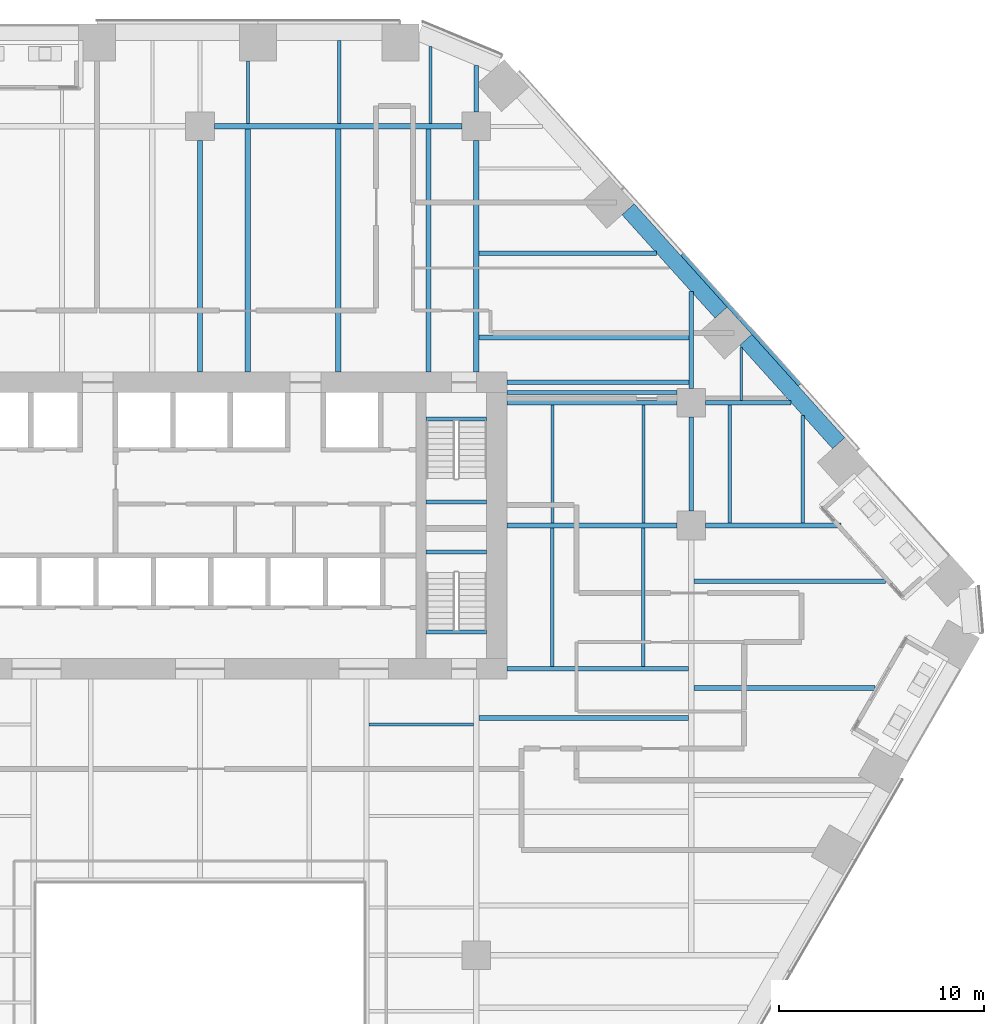
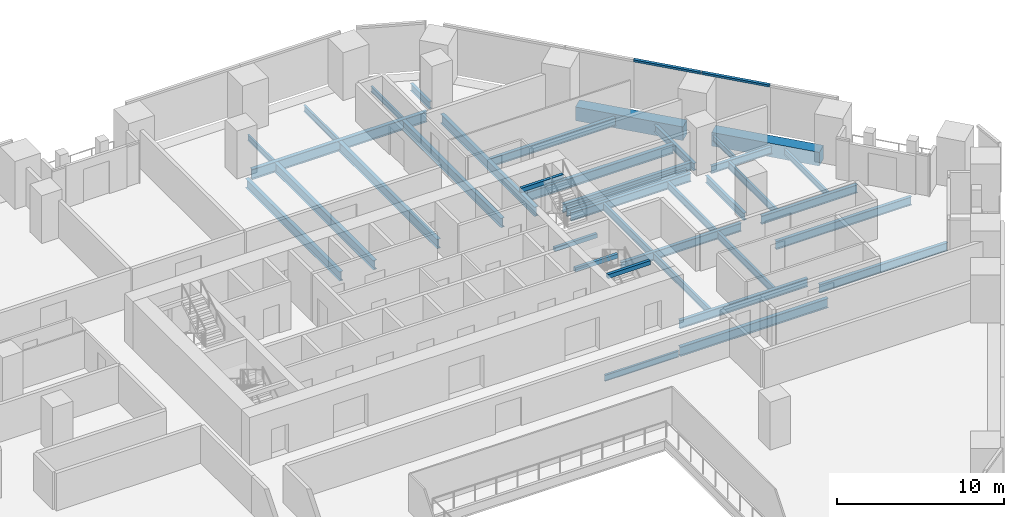
# One storey, part 10 of 28: 38 beams, 2 members, 1 element without a shape of its own.
"""IFC4 building model written with IfcOpenShell, lengths in metres."""

from ifc_helpers import new_model, si_unit, direction, frame, origin, origin_2d, place, context, subcontext, project, spatial, rectangle, i_section, extrude, material, layer, layer_set, material_profile, profile_set, type_object, element, aggregate, save


model = new_model("IFC4")

# Units and contexts
model_context = context("Model", 3, precision=1e-05, world=origin(), true_north=direction((0.0, 1.0)))
body_context = subcontext(model_context, "Body", "Model", "MODEL_VIEW")
ifc_project = project(units=[si_unit("LENGTHUNIT", "METRE"), si_unit("AREAUNIT", "SQUARE_METRE"), si_unit("VOLUMEUNIT", "CUBIC_METRE"), si_unit("PLANEANGLEUNIT", "RADIAN"), si_unit("MASSUNIT", "GRAM", prefix="KILO")], contexts=[model_context])

# Site, building, storey
site_placement = place(None, origin())
site = spatial("IfcSite", under=ifc_project, at=site_placement, CompositionType="ELEMENT")
building_placement = place(site_placement, origin())
building = spatial("IfcBuilding", under=site, at=building_placement, Name="Isthmus Gate Tower", CompositionType="ELEMENT")
storey_placement = place(building_placement, frame((0.0, 0.0, 68.85009765625)))
storey = spatial("IfcBuildingStorey", under=building, at=storey_placement, Name="L15", CompositionType="ELEMENT", Elevation=68.85009765625)

# Curtain wall, members
ifc_material_1 = material(Name="Aluminium, pale champagne anodised", Category="aluminium")
ifc_layer = layer(ifc_material_1, 0.199951171875)
ifc_layer_set = layer_set([ifc_layer], Name="CW-1 UNITISED CURTAIN WALL 200 DEEP")
curtain_wall_type = type_object("IfcCurtainWallType", Name="CW-1 UNITISED CURTAIN WALL 200 DEEP", PredefinedType="NOTDEFINED", material=ifc_layer_set)
curtain_wall_placement = place(storey_placement, origin())
curtain_wall = element("IfcCurtainWall", 1, at=curtain_wall_placement, inside=storey, type_object=curtain_wall_type, Name="CW-1 NE L15", PredefinedType="NOTDEFINED")
ifc_material_2 = material(Name="Aluminium, pale champagne anodised", Category="aluminium")
ifc_material_profile_1 = material_profile(ifc_material_2, rectangle(XDim=0.199951171875, YDim=0.14990234375, at=origin_2d()), Name="200x150")
ifc_profile_set_1 = profile_set([ifc_material_profile_1], Name="Aluminium, pale champagne anodised")
member_type = type_object("IfcMemberType", Name="CW-1 TRANSOM 200 X 150", PredefinedType="USERDEFINED", material=ifc_profile_set_1)
member_1_placement = place(storey_placement, frame((29.307861328125, 14.3779296875, 3.574951171875), z_axis=(-0.6690997736, 0.74317258626, 0.0), x_axis=(-0.74317258626, -0.6690997736, 0.0)))
member_1 = element("IfcMember", 2, at=member_1_placement, type_object=member_type, Name="CW-1 transom", ObjectType="TRANSOM", PredefinedType="USERDEFINED", context=body_context, shape_type="SweptSolid", body=[
    extrude(rectangle(XDim=0.199951171875, YDim=0.14990234375, at=origin_2d()), origin(), (0.0, 0.0, 1.0), 4.294677734375),
])
member_2_placement = place(storey_placement, frame((26.39404296875, 17.614013671875, 3.574951171875), z_axis=(-0.669123979474, 0.743150792298, 0.0), x_axis=(-0.743150792298, -0.669123979474, 0.0)))
member_2 = element("IfcMember", 3, at=member_2_placement, type_object=member_type, Name="CW-1 transom", ObjectType="TRANSOM", PredefinedType="USERDEFINED", context=body_context, shape_type="SweptSolid", body=[
    extrude(rectangle(XDim=0.199951171875, YDim=0.14990234375, at=origin_2d()), origin(), (0.0, 0.0, 1.0), 4.234619140625),
])
aggregate(curtain_wall, [member_1, member_2])

# Beams
ifc_material_3 = material(Name="Concrete f'c 70 MPa", Category="concrete")
ifc_material_profile_2 = material_profile(ifc_material_3, rectangle(XDim=0.800048828125, YDim=1.0, at=origin_2d()), Name="RC 800X1000")
ifc_profile_set_2 = profile_set([ifc_material_profile_2], Name="Concrete f'c 70 MPa")
beam_type_1 = type_object("IfcBeamType", Name="RC SPANDREL 800 X 1000", PredefinedType="SPANDREL", material=ifc_profile_set_2)
beam_1_placement = place(storey_placement, frame((20.91748046875, 22.94921875, -0.5), z_axis=(0.669135571547, -0.743140354772, 0.0), x_axis=(0.743140354772, 0.669135571547, 0.0)))
element("IfcBeam", 4, at=beam_1_placement, inside=storey, type_object=beam_type_1, Name="str-spandrel-L15-02", PredefinedType="SPANDREL", context=body_context, shape_type="SweptSolid", body=[
    extrude(rectangle(XDim=0.800048828125, YDim=1.0, at=origin_2d()), origin(), (0.0, 0.0, 1.0), 6.789306640625),
])
beam_2_placement = place(storey_placement, frame((26.664794921875, 16.566162109375, -0.5), z_axis=(0.669117690519, -0.743156454748, 0.0), x_axis=(0.743156454748, 0.669117690519, 0.0)))
element("IfcBeam", 5, at=beam_2_placement, inside=storey, type_object=beam_type_1, Name="str-spandrel-L15-03", PredefinedType="SPANDREL", context=body_context, shape_type="SweptSolid", body=[
    extrude(rectangle(XDim=0.800048828125, YDim=1.0, at=origin_2d()), origin(), (0.0, 0.0, 1.0), 6.78955078125),
])
ifc_material_4 = material(Name="Concrete f'c 40 MPa", Category="concrete")
ifc_material_profile_3 = material_profile(ifc_material_4, rectangle(XDim=0.199951171875, YDim=0.300048828125, at=origin_2d()), Name="STAIR LANDING BEAM RC 200 X 300")
ifc_profile_set_3 = profile_set([ifc_material_profile_3], Name="Concrete f'c 40 MPa")
beam_type_2 = type_object("IfcBeamType", Name="STAIR LANDING BEAM RC 200 X 300", PredefinedType="BEAM", material=ifc_profile_set_3)
for number, where, z_axis, x_axis, name in (
    (6, (11.050048828125, 8.64990234375, 1.474853515625), (1.0, 0.0, 0.0), (0.0, 1.0, 0.0), "L15 ST2 landing beam 1"),
    (7, (11.050048828125, 12.7001953125, 3.349853515625), (1.0, 0.0, 0.0), (0.0, 1.0, 0.0), "L15 ST2 floor-edge seat beam"),
    (8, (11.050048828125, 6.199951171875, 1.474853515625), (1.0, 0.0, 0.0), (0.0, 1.0, 0.0), "L15 ST8 landing beam 1"),
    (9, (11.050048828125, 2.2998046875, 3.349853515625), (1.0, 0.0, 0.0), (0.0, 1.0, 0.0), "L15 ST8 floor-edge seat beam"),
):
    element("IfcBeam", number, at=place(storey_placement, frame(where, z_axis=z_axis, x_axis=x_axis)), inside=storey, type_object=beam_type_2, Name=name, PredefinedType="BEAM", context=body_context, shape_type="SweptSolid", body=[
        extrude(rectangle(XDim=0.199951171875, YDim=0.300048828125, at=origin_2d()), origin(), (0.0, 0.0, 1.0), 2.949951171875),
    ])
ifc_material_5 = material(Name="Structural steel ASTM A992 Gr 50", Category="steel")
ifc_material_profile_4 = material_profile(ifc_material_5, i_section(OverallWidth=0.1396484375, OverallDepth=0.4033203125, WebThickness=0.00634765625, FlangeThickness=0.010986328125, at=origin_2d()), Name="W16X31")
ifc_profile_set_4 = profile_set([ifc_material_profile_4], Name="Structural steel ASTM A992 Gr 50")
beam_type_3 = type_object("IfcBeamType", Name="STEEL FLOOR BEAM W16X31", PredefinedType="JOIST", material=ifc_profile_set_4)
beam_3_placement = place(storey_placement, frame((2.33740234375, 27.1318359375, -0.351806640625), z_axis=(0.0, 1.0, 0.0), x_axis=(-1.0, 0.0, 0.0)))
element("IfcBeam", 10, at=beam_3_placement, inside=storey, type_object=beam_type_3, Name="str-beam-L15-23-00", PredefinedType="JOIST", context=body_context, shape_type="SweptSolid", body=[
    extrude(i_section(OverallWidth=0.1396484375, OverallDepth=0.4033203125, WebThickness=0.00634765625, FlangeThickness=0.010986328125, at=origin_2d()), origin(), (0.0, 0.0, 1.0), 3.068115234375),
])
beam_4_placement = place(storey_placement, frame((11.267578125, 27.1318359375, -0.351806640625), z_axis=(0.0, 1.0, 0.0), x_axis=(-1.0, 0.0, 0.0)))
element("IfcBeam", 11, at=beam_4_placement, inside=storey, type_object=beam_type_3, Name="str-beam-L15-23-02", PredefinedType="JOIST", context=body_context, shape_type="SweptSolid", body=[
    extrude(i_section(OverallWidth=0.1396484375, OverallDepth=0.4033203125, WebThickness=0.00634765625, FlangeThickness=0.010986328125, at=origin_2d()), origin(), (0.0, 0.0, 1.0), 3.7666015625),
])
beam_5_placement = place(storey_placement, frame((26.448974609375, 13.604736328125, -0.351806640625), z_axis=(0.0, 1.0, 0.0), x_axis=(-1.0, 0.0, 0.0)))
element("IfcBeam", 12, at=beam_5_placement, inside=storey, type_object=beam_type_3, Name="str-beam-L15-36-00", PredefinedType="JOIST", context=body_context, shape_type="SweptSolid", body=[
    extrude(i_section(OverallWidth=0.1396484375, OverallDepth=0.4033203125, WebThickness=0.00634765625, FlangeThickness=0.010986328125, at=origin_2d()), origin(), (0.0, 0.0, 1.0), 2.603515625),
])
ifc_material_6 = material(Name="Structural steel ASTM A992 Gr 50", Category="steel")
ifc_material_profile_5 = material_profile(ifc_material_6, i_section(OverallWidth=0.15234375, OverallDepth=0.45068359375, WebThickness=0.0078125, FlangeThickness=0.010986328125, at=origin_2d()), Name="W18X35")
ifc_profile_set_5 = profile_set([ifc_material_profile_5], Name="Structural steel ASTM A992 Gr 50")
beam_type_4 = type_object("IfcBeamType", Name="STEEL FLOOR BEAM W18X35", PredefinedType="JOIST", material=ifc_profile_set_5)
beam_6_placement = place(storey_placement, frame((6.802490234375, 27.1318359375, -0.37548828125), z_axis=(0.0, 1.0, 0.0), x_axis=(-1.0, 0.0, 0.0)))
element("IfcBeam", 13, at=beam_6_placement, inside=storey, type_object=beam_type_4, Name="str-beam-L15-23-01", PredefinedType="JOIST", context=body_context, shape_type="SweptSolid", body=[
    extrude(i_section(OverallWidth=0.15234375, OverallDepth=0.45068359375, WebThickness=0.0078125, FlangeThickness=0.010986328125, at=origin_2d()), origin(), (0.0, 0.0, 1.0), 4.068115234375),
])
beam_7_placement = place(storey_placement, frame((8.263427734375, -2.232421875, -0.37548828125), z_axis=(1.0, 0.0, 0.0), x_axis=(0.0, 1.0, 0.0)))
element("IfcBeam", 14, at=beam_7_placement, inside=storey, type_object=beam_type_4, Name="str-beam-L15-27-02", PredefinedType="JOIST", context=body_context, shape_type="SweptSolid", body=[
    extrude(i_section(OverallWidth=0.15234375, OverallDepth=0.45068359375, WebThickness=0.0078125, FlangeThickness=0.010986328125, at=origin_2d()), origin(), (0.0, 0.0, 1.0), 5.104736328125),
])
beam_8_placement = place(storey_placement, frame((29.449951171875, 7.6142578125, -0.37548828125), z_axis=(0.0, 1.0, 0.0), x_axis=(-1.0, 0.0, 0.0)))
element("IfcBeam", 15, at=beam_8_placement, inside=storey, type_object=beam_type_4, Name="str-beam-L15-37-01", PredefinedType="JOIST", context=body_context, shape_type="SweptSolid", body=[
    extrude(i_section(OverallWidth=0.15234375, OverallDepth=0.45068359375, WebThickness=0.0078125, FlangeThickness=0.010986328125, at=origin_2d()), origin(), (0.0, 0.0, 1.0), 5.260986328125),
])
ifc_material_7 = material(Name="Structural steel ASTM A992 Gr 50", Category="steel")
ifc_material_profile_6 = material_profile(ifc_material_7, i_section(OverallWidth=0.1650390625, OverallDepth=0.52392578125, WebThickness=0.009521484375, FlangeThickness=0.010986328125, at=origin_2d()), Name="W21X44")
ifc_profile_set_6 = profile_set([ifc_material_profile_6], Name="Structural steel ASTM A992 Gr 50")
beam_type_5 = type_object("IfcBeamType", Name="STEEL FLOOR BEAM W21X44", PredefinedType="JOIST", material=ifc_profile_set_6)
for number, where, z_axis, x_axis, name in (
    (16, (17.223876953125, 7.6142578125, -0.412109375), (0.0, 1.0, 0.0), (-1.0, 0.0, 0.0), "str-beam-L15-34-00"),
    (17, (21.67138671875, 7.6142578125, -0.412109375), (0.0, 1.0, 0.0), (-1.0, 0.0, 0.0), "str-beam-L15-34-01"),
):
    element("IfcBeam", number, at=place(storey_placement, frame(where, z_axis=z_axis, x_axis=x_axis)), inside=storey, type_object=beam_type_5, Name=name, PredefinedType="JOIST", context=body_context, shape_type="SweptSolid", body=[
        extrude(i_section(OverallWidth=0.1650390625, OverallDepth=0.52392578125, WebThickness=0.009521484375, FlangeThickness=0.010986328125, at=origin_2d()), origin(), (0.0, 0.0, 1.0), 5.771484375),
    ])
for number, where, z_axis, x_axis, name in (
    (18, (17.216552734375, 0.6142578125, -0.412109375), (0.0, 1.0, 0.0), (-1.0, 0.0, 0.0), "str-beam-L15-35-00"),
    (19, (21.64990234375, 0.6142578125, -0.412109375), (0.0, 1.0, 0.0), (-1.0, 0.0, 0.0), "str-beam-L15-35-01"),
):
    element("IfcBeam", number, at=place(storey_placement, frame(where, z_axis=z_axis, x_axis=x_axis)), inside=storey, type_object=beam_type_5, Name=name, PredefinedType="JOIST", context=body_context, shape_type="SweptSolid", body=[
        extrude(i_section(OverallWidth=0.1650390625, OverallDepth=0.52392578125, WebThickness=0.009521484375, FlangeThickness=0.010986328125, at=origin_2d()), origin(), (0.0, 0.0, 1.0), 6.771484375),
    ])
beam_9_placement = place(storey_placement, frame((25.886474609375, 7.6142578125, -0.412109375), z_axis=(0.0, 1.0, 0.0), x_axis=(-1.0, 0.0, 0.0)))
element("IfcBeam", 20, at=beam_9_placement, inside=storey, type_object=beam_type_5, Name="str-beam-L15-37-00", PredefinedType="JOIST", context=body_context, shape_type="SweptSolid", body=[
    extrude(i_section(OverallWidth=0.1650390625, OverallDepth=0.52392578125, WebThickness=0.009521484375, FlangeThickness=0.010986328125, at=origin_2d()), origin(), (0.0, 0.0, 1.0), 5.781005859375),
])
ifc_material_8 = material(Name="Structural steel ASTM A992 Gr 50", Category="steel")
ifc_material_profile_7 = material_profile(ifc_material_8, i_section(OverallWidth=0.177734375, OverallDepth=0.60009765625, WebThickness=0.009521484375, FlangeThickness=0.0126953125, at=origin_2d()), Name="W24X55")
ifc_profile_set_7 = profile_set([ifc_material_profile_7], Name="Structural steel ASTM A992 Gr 50")
beam_type_6 = type_object("IfcBeamType", Name="STEEL FLOOR BEAM W24X55", PredefinedType="JOIST", material=ifc_profile_set_7)
beam_10_placement = place(storey_placement, frame((15.0, 14.0, -0.4501953125), z_axis=(1.0, 0.0, 0.0), x_axis=(0.0, 1.0, 0.0)))
element("IfcBeam", 21, at=beam_10_placement, inside=storey, type_object=beam_type_6, Name="str-beam-L15-33-00", PredefinedType="JOIST", context=body_context, shape_type="SweptSolid", body=[
    extrude(i_section(OverallWidth=0.177734375, OverallDepth=0.60009765625, WebThickness=0.009521484375, FlangeThickness=0.0126953125, at=origin_2d()), origin(), (0.0, 0.0, 1.0), 8.300048828125),
])
ifc_material_9 = material(Name="Structural steel ASTM A992 Gr 50", Category="steel")
ifc_material_profile_8 = material_profile(ifc_material_9, i_section(OverallWidth=0.228515625, OverallDepth=0.603271484375, WebThickness=0.010986328125, FlangeThickness=0.014404296875, at=origin_2d()), Name="W24X68")
ifc_profile_set_8 = profile_set([ifc_material_profile_8], Name="Structural steel ASTM A992 Gr 50")
beam_type_7 = type_object("IfcBeamType", Name="STEEL FLOOR BEAM W24X68", PredefinedType="JOIST", material=ifc_profile_set_8)
beam_11_placement = place(storey_placement, frame((13.626953125, 20.80712890625, -0.45166015625), z_axis=(1.0, 0.0, 0.0), x_axis=(0.0, 1.0, 0.0)))
element("IfcBeam", 22, at=beam_11_placement, inside=storey, type_object=beam_type_7, Name="str-beam-L15-30-01", PredefinedType="JOIST", context=body_context, shape_type="SweptSolid", body=[
    extrude(i_section(OverallWidth=0.228515625, OverallDepth=0.603271484375, WebThickness=0.010986328125, FlangeThickness=0.014404296875, at=origin_2d()), origin(), (0.0, 0.0, 1.0), 8.680908203125),
])
beam_12_placement = place(storey_placement, frame((24.13330078125, -0.446533203125, -0.45166015625), z_axis=(1.0, 0.0, 0.0), x_axis=(0.0, 1.0, 0.0)))
element("IfcBeam", 23, at=beam_12_placement, inside=storey, type_object=beam_type_7, Name="str-beam-L15-38-02", PredefinedType="JOIST", context=body_context, shape_type="SweptSolid", body=[
    extrude(i_section(OverallWidth=0.228515625, OverallDepth=0.603271484375, WebThickness=0.010986328125, FlangeThickness=0.014404296875, at=origin_2d()), origin(), (0.0, 0.0, 1.0), 8.853271484375),
])
beam_13_placement = place(storey_placement, frame((24.13330078125, 4.77490234375, -0.45166015625), z_axis=(1.0, 0.0, 0.0), x_axis=(0.0, 1.0, 0.0)))
element("IfcBeam", 24, at=beam_13_placement, inside=storey, type_object=beam_type_7, Name="str-beam-L15-38-03", PredefinedType="JOIST", context=body_context, shape_type="SweptSolid", body=[
    extrude(i_section(OverallWidth=0.228515625, OverallDepth=0.603271484375, WebThickness=0.010986328125, FlangeThickness=0.014404296875, at=origin_2d()), origin(), (0.0, 0.0, 1.0), 9.36767578125),
])
ifc_material_10 = material(Name="Structural steel ASTM A992 Gr 50", Category="steel")
ifc_material_profile_9 = material_profile(ifc_material_10, i_section(OverallWidth=0.25390625, OverallDepth=0.679443359375, WebThickness=0.010986328125, FlangeThickness=0.015869140625, at=origin_2d()), Name="W27X84")
ifc_profile_set_9 = profile_set([ifc_material_profile_9], Name="Structural steel ASTM A992 Gr 50")
beam_type_8 = type_object("IfcBeamType", Name="STEEL FLOOR BEAM W27X84", PredefinedType="JOIST", material=ifc_profile_set_9)
for number, where, z_axis, x_axis, name in (
    (25, (2.334716796875, 15.0, -0.48974609375), (0.0, 1.0, 0.0), (-1.0, 0.0, 0.0), "str-beam-L15-24-00"),
    (26, (6.75, 15.0, -0.48974609375), (0.0, 1.0, 0.0), (-1.0, 0.0, 0.0), "str-beam-L15-24-01"),
    (27, (11.165283203125, 15.0, -0.48974609375), (0.0, 1.0, 0.0), (-1.0, 0.0, 0.0), "str-beam-L15-24-02"),
):
    element("IfcBeam", number, at=place(storey_placement, frame(where, z_axis=z_axis, x_axis=x_axis)), inside=storey, type_object=beam_type_8, Name=name, PredefinedType="JOIST", context=body_context, shape_type="SweptSolid", body=[
        extrude(i_section(OverallWidth=0.25390625, OverallDepth=0.679443359375, WebThickness=0.010986328125, FlangeThickness=0.015869140625, at=origin_2d()), origin(), (0.0, 0.0, 1.0), 11.8681640625),
    ])
beam_14_placement = place(storey_placement, frame((13.626953125, 16.678466796875, -0.48974609375), z_axis=(1.0, 0.0, 0.0), x_axis=(0.0, 1.0, 0.0)))
element("IfcBeam", 28, at=beam_14_placement, inside=storey, type_object=beam_type_8, Name="str-beam-L15-30-00", PredefinedType="JOIST", context=body_context, shape_type="SweptSolid", body=[
    extrude(i_section(OverallWidth=0.25390625, OverallDepth=0.679443359375, WebThickness=0.010986328125, FlangeThickness=0.015869140625, at=origin_2d()), origin(), (0.0, 0.0, 1.0), 10.268310546875),
])
beam_15_placement = place(storey_placement, frame((13.6318359375, -1.90625, -0.48974609375), z_axis=(1.0, 0.0, 0.0), x_axis=(0.0, 1.0, 0.0)))
element("IfcBeam", 29, at=beam_15_placement, inside=storey, type_object=beam_type_8, Name="str-beam-L15-31-02", PredefinedType="JOIST", context=body_context, shape_type="SweptSolid", body=[
    extrude(i_section(OverallWidth=0.25390625, OverallDepth=0.679443359375, WebThickness=0.010986328125, FlangeThickness=0.015869140625, at=origin_2d()), origin(), (0.0, 0.0, 1.0), 10.23486328125),
])
ifc_material_11 = material(Name="Structural steel ASTM A992 Gr 50", Category="steel")
ifc_material_profile_10 = material_profile(ifc_material_11, i_section(OverallWidth=0.20947265625, OverallDepth=0.533447265625, WebThickness=0.009521484375, FlangeThickness=0.015869140625, at=origin_2d()), Name="W21X62")
ifc_profile_set_10 = profile_set([ifc_material_profile_10], Name="Structural steel ASTM A992 Gr 50")
beam_type_9 = type_object("IfcBeamType", Name="STEEL GIRDER W21X62", PredefinedType="BEAM", material=ifc_profile_set_10)
beam_16_placement = place(storey_placement, frame((24.699951171875, 13.5, -0.416748046875), z_axis=(1.0, 0.0, 0.0), x_axis=(0.0, 1.0, 0.0)))
element("IfcBeam", 30, at=beam_16_placement, inside=storey, type_object=beam_type_9, Name="str-girder-L15-15", PredefinedType="BEAM", context=body_context, shape_type="SweptSolid", body=[
    extrude(i_section(OverallWidth=0.20947265625, OverallDepth=0.533447265625, WebThickness=0.009521484375, FlangeThickness=0.015869140625, at=origin_2d()), origin(), (0.0, 0.0, 1.0), 4.187255859375),
])
beam_17_placement = place(storey_placement, frame((13.5, 27.699951171875, -0.416748046875), z_axis=(0.0, 1.0, 0.0), x_axis=(-1.0, 0.0, 0.0)))
element("IfcBeam", 31, at=beam_17_placement, inside=storey, type_object=beam_type_9, Name="str-girder-L15-34", PredefinedType="BEAM", context=body_context, shape_type="SweptSolid", body=[
    extrude(i_section(OverallWidth=0.20947265625, OverallDepth=0.533447265625, WebThickness=0.009521484375, FlangeThickness=0.015869140625, at=origin_2d()), origin(), (0.0, 0.0, 1.0), 2.27001953125),
])
beam_18_placement = place(storey_placement, frame((24.0, 8.199951171875, -0.416748046875), z_axis=(0.0, 1.0, 0.0), x_axis=(-1.0, 0.0, 0.0)))
element("IfcBeam", 32, at=beam_18_placement, inside=storey, type_object=beam_type_9, Name="str-girder-L15-36", PredefinedType="BEAM", context=body_context, shape_type="SweptSolid", body=[
    extrude(i_section(OverallWidth=0.20947265625, OverallDepth=0.533447265625, WebThickness=0.009521484375, FlangeThickness=0.015869140625, at=origin_2d()), origin(), (0.0, 0.0, 1.0), 4.60009765625),
])
beam_19_placement = place(storey_placement, frame((24.0, 14.199951171875, -0.416748046875), z_axis=(0.0, 1.0, 0.0), x_axis=(-1.0, 0.0, 0.0)))
element("IfcBeam", 33, at=beam_19_placement, inside=storey, type_object=beam_type_9, Name="str-girder-L15-37", PredefinedType="BEAM", context=body_context, shape_type="SweptSolid", body=[
    extrude(i_section(OverallWidth=0.20947265625, OverallDepth=0.533447265625, WebThickness=0.009521484375, FlangeThickness=0.015869140625, at=origin_2d()), origin(), (0.0, 0.0, 1.0), 4.72802734375),
])
ifc_material_12 = material(Name="Structural steel ASTM A992 Gr 50", Category="steel")
ifc_material_profile_11 = material_profile(ifc_material_12, i_section(OverallWidth=0.228515625, OverallDepth=0.603271484375, WebThickness=0.010986328125, FlangeThickness=0.014404296875, at=origin_2d()), Name="W24X68")
ifc_profile_set_11 = profile_set([ifc_material_profile_11], Name="Structural steel ASTM A992 Gr 50")
beam_type_10 = type_object("IfcBeamType", Name="STEEL GIRDER W24X68", PredefinedType="BEAM", material=ifc_profile_set_11)
beam_20_placement = place(storey_placement, frame((24.699951171875, 7.5, -0.45166015625), z_axis=(1.0, 0.0, 0.0), x_axis=(0.0, 1.0, 0.0)))
element("IfcBeam", 34, at=beam_20_placement, inside=storey, type_object=beam_type_10, Name="str-girder-L15-12", PredefinedType="BEAM", context=body_context, shape_type="SweptSolid", body=[
    extrude(i_section(OverallWidth=0.228515625, OverallDepth=0.603271484375, WebThickness=0.010986328125, FlangeThickness=0.014404296875, at=origin_2d()), origin(), (0.0, 0.0, 1.0), 6.62939453125),
])
ifc_material_13 = material(Name="Structural steel ASTM A992 Gr 50", Category="steel")
ifc_material_profile_12 = material_profile(ifc_material_13, i_section(OverallWidth=0.228515625, OverallDepth=0.6064453125, WebThickness=0.010986328125, FlangeThickness=0.017578125, at=origin_2d()), Name="W24X76")
ifc_profile_set_12 = profile_set([ifc_material_profile_12], Name="Structural steel ASTM A992 Gr 50")
beam_type_11 = type_object("IfcBeamType", Name="STEEL GIRDER W24X76", PredefinedType="BEAM", material=ifc_profile_set_12)
for number, where, z_axis, x_axis, name in (
    (35, (15.0, 7.5, -0.453369140625), (1.0, 0.0, 0.0), (0.0, 1.0, 0.0), "str-girder-L15-11"),
    (36, (15.0, 13.5, -0.453369140625), (1.0, 0.0, 0.0), (0.0, 1.0, 0.0), "str-girder-L15-14"),
):
    element("IfcBeam", number, at=place(storey_placement, frame(where, z_axis=z_axis, x_axis=x_axis)), inside=storey, type_object=beam_type_11, Name=name, PredefinedType="BEAM", context=body_context, shape_type="SweptSolid", body=[
        extrude(i_section(OverallWidth=0.228515625, OverallDepth=0.6064453125, WebThickness=0.010986328125, FlangeThickness=0.017578125, at=origin_2d()), origin(), (0.0, 0.0, 1.0), 8.300048828125),
    ])
beam_21_placement = place(storey_placement, frame((15.0, 0.5, -0.453369140625), z_axis=(1.0, 0.0, 0.0), x_axis=(0.0, 1.0, 0.0)))
element("IfcBeam", 37, at=beam_21_placement, inside=storey, type_object=beam_type_11, Name="str-girder-L15-39", PredefinedType="BEAM", context=body_context, shape_type="SweptSolid", body=[
    extrude(i_section(OverallWidth=0.228515625, OverallDepth=0.6064453125, WebThickness=0.010986328125, FlangeThickness=0.017578125, at=origin_2d()), origin(), (0.0, 0.0, 1.0), 8.86669921875),
])
beam_22_placement = place(storey_placement, frame((15.0, 14.5, -0.453369140625), z_axis=(1.0, 0.0, 0.0), x_axis=(0.0, 1.0, 0.0)))
element("IfcBeam", 38, at=beam_22_placement, inside=storey, type_object=beam_type_11, Name="str-girder-L15-41", PredefinedType="BEAM", context=body_context, shape_type="SweptSolid", body=[
    extrude(i_section(OverallWidth=0.228515625, OverallDepth=0.6064453125, WebThickness=0.010986328125, FlangeThickness=0.017578125, at=origin_2d()), origin(), (0.0, 0.0, 1.0), 8.895263671875),
])
ifc_material_14 = material(Name="Structural steel ASTM A992 Gr 50", Category="steel")
ifc_material_profile_13 = material_profile(ifc_material_14, i_section(OverallWidth=0.25390625, OverallDepth=0.679443359375, WebThickness=0.010986328125, FlangeThickness=0.015869140625, at=origin_2d()), Name="W27X84")
ifc_profile_set_13 = profile_set([ifc_material_profile_13], Name="Structural steel ASTM A992 Gr 50")
beam_type_12 = type_object("IfcBeamType", Name="STEEL GIRDER W27X84", PredefinedType="BEAM", material=ifc_profile_set_13)
for number, where, z_axis, x_axis, name in (
    (39, (0.0, 15.0, -0.48974609375), (0.0, 1.0, 0.0), (-1.0, 0.0, 0.0), "str-girder-L15-29"),
    (40, (13.5, 15.0, -0.48974609375), (0.0, 1.0, 0.0), (-1.0, 0.0, 0.0), "str-girder-L15-33"),
):
    element("IfcBeam", number, at=place(storey_placement, frame(where, z_axis=z_axis, x_axis=x_axis)), inside=storey, type_object=beam_type_12, Name=name, PredefinedType="BEAM", context=body_context, shape_type="SweptSolid", body=[
        extrude(i_section(OverallWidth=0.25390625, OverallDepth=0.679443359375, WebThickness=0.010986328125, FlangeThickness=0.015869140625, at=origin_2d()), origin(), (0.0, 0.0, 1.0), 11.300048828125),
    ])
ifc_material_15 = material(Name="Structural steel ASTM A992 Gr 50", Category="steel")
ifc_material_profile_14 = material_profile(ifc_material_15, i_section(OverallWidth=0.263427734375, OverallDepth=0.749267578125, WebThickness=0.0126953125, FlangeThickness=0.015869140625, at=origin_2d()), Name="W30X90")
ifc_profile_set_14 = profile_set([ifc_material_profile_14], Name="Structural steel ASTM A992 Gr 50")
beam_type_13 = type_object("IfcBeamType", Name="STEEL GIRDER W30X90", PredefinedType="BEAM", material=ifc_profile_set_14)
beam_23_placement = place(storey_placement, frame((0.699951171875, 27.0, -0.524658203125), z_axis=(1.0, 0.0, 0.0), x_axis=(0.0, 1.0, 0.0)))
element("IfcBeam", 41, at=beam_23_placement, inside=storey, type_object=beam_type_13, Name="str-girder-L15-18", PredefinedType="BEAM", context=body_context, shape_type="SweptSolid", body=[
    extrude(i_section(OverallWidth=0.263427734375, OverallDepth=0.749267578125, WebThickness=0.0126953125, FlangeThickness=0.015869140625, at=origin_2d()), origin(), (0.0, 0.0, 1.0), 12.10009765625),
])

save(model, "model.ifc")
